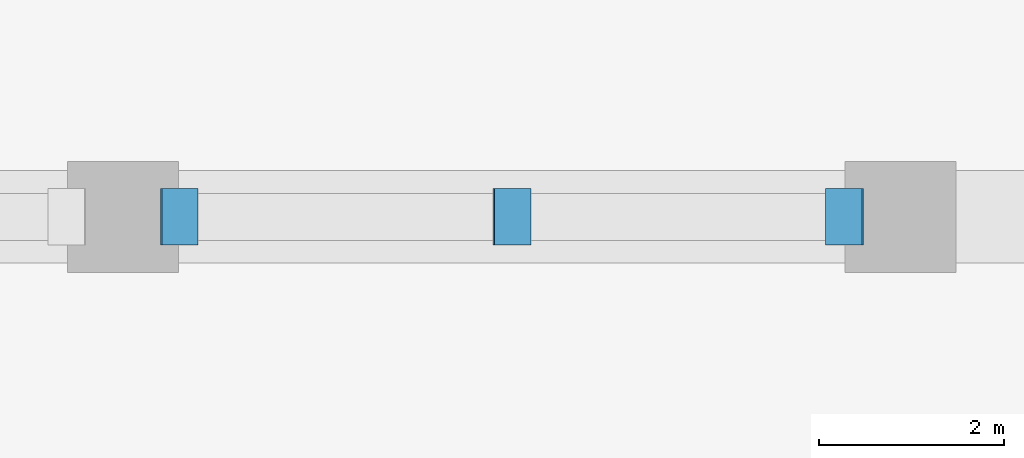
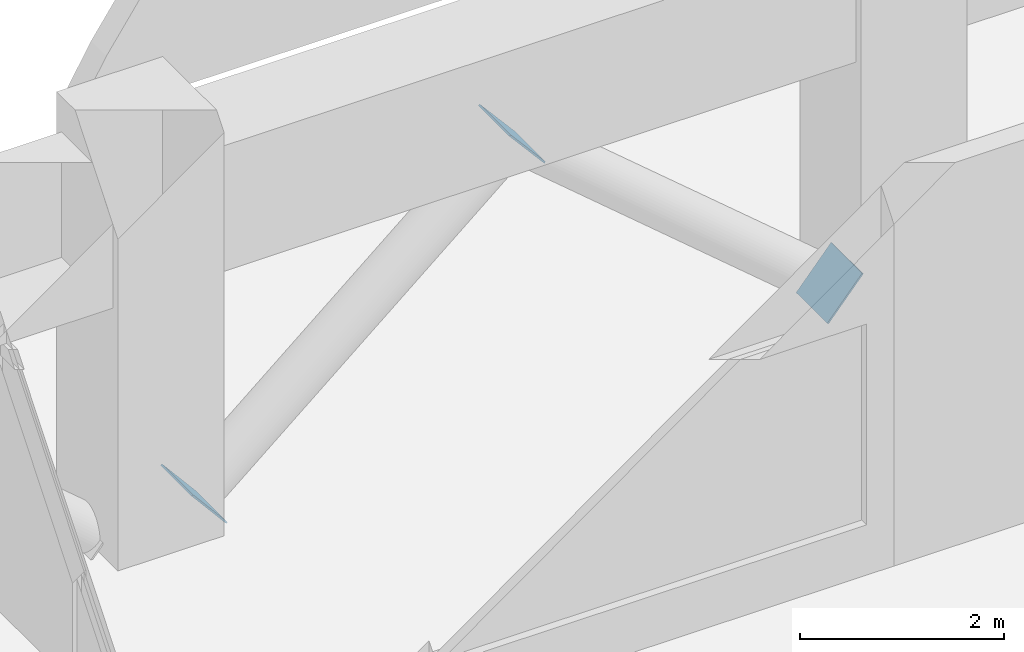
# One storey, part 12 of 19: 3 discrete accessories.
"""IFC4 building model written with IfcOpenShell, lengths in metres."""

from ifc_helpers import new_model, si_unit, direction, frame, origin, origin_2d, place, context, subcontext, project, spatial, rectangle, extrude, material, material_profile, profile_set, type_object, element, save


model = new_model("IFC4")

# Units and contexts
model_context = context("Model", 3, precision=1e-05, world=origin(), true_north=direction((0.0, 1.0)))
body_context = subcontext(model_context, "Body", "Model", "MODEL_VIEW")
ifc_project = project(units=[si_unit("LENGTHUNIT", "METRE"), si_unit("AREAUNIT", "SQUARE_METRE"), si_unit("VOLUMEUNIT", "CUBIC_METRE"), si_unit("PLANEANGLEUNIT", "RADIAN"), si_unit("MASSUNIT", "GRAM", prefix="KILO")], contexts=[model_context])

# Site, building, storey
site_placement = place(None, origin())
site = spatial("IfcSite", under=ifc_project, at=site_placement, CompositionType="ELEMENT")
building_placement = place(site_placement, origin())
building = spatial("IfcBuilding", under=site, at=building_placement, Name="Kawkab Arch Medical Tower", CompositionType="ELEMENT")
storey_placement = place(building_placement, frame((0.0, 0.0, 34.199951171875)))
storey = spatial("IfcBuildingStorey", under=building, at=storey_placement, Name="L07", CompositionType="ELEMENT", Elevation=34.199951171875)

# Discrete accessories
ifc_material = material(Name="Steel S355", Category="steel")
ifc_material_profile = material_profile(ifc_material, rectangle(XDim=0.60791015625, YDim=0.60791015625, at=origin_2d()), Name="End plate 608 x 20")
ifc_profile_set = profile_set([ifc_material_profile], Name="Steel S355")
discrete_accessory_type = type_object("IfcDiscreteAccessoryType", Name="End plate 608 x 20", PredefinedType="ANCHORPLATE", material=ifc_profile_set)
discrete_accessory_placement = place(storey_placement, frame((54.59228515625, 0.0, 3.175048828125), z_axis=(0.759256602365, 0.0, 0.650791373456), x_axis=(0.0, 1.0, 0.0)))
element("IfcDiscreteAccessory", 1, at=discrete_accessory_placement, inside=storey, type_object=discrete_accessory_type, Name="End plate BT1", PredefinedType="ANCHORPLATE", context=body_context, shape_type="SweptSolid", body=[
    extrude(rectangle(XDim=0.60791015625, YDim=0.60791015625, at=origin_2d()), origin(), (0.0, 0.0, 1.0), 0.020263671875),
])
for number, where, z_axis, x_axis, name in (
    (2, (51.015380859375, 0.0, 0.143310546875), (-0.765226087432, 0.0, -0.643761629109), (0.0, -1.0, 0.0), "End plate BT1"),
    (3, (58.184814453125, 0.0, 0.143310546875), (0.760121344352, 0.0, -0.649781149204), (0.0, 1.0, 0.0), "End plate BT1"),
):
    element("IfcDiscreteAccessory", number, at=place(storey_placement, frame(where, z_axis=z_axis, x_axis=x_axis)), inside=storey, type_object=discrete_accessory_type, Name=name, PredefinedType="ANCHORPLATE", context=body_context, shape_type="SweptSolid", body=[
        extrude(rectangle(XDim=0.60791015625, YDim=0.60791015625, at=origin_2d()), origin(), (0.0, 0.0, 1.0), 0.02001953125),
    ])

save(model, "model.ifc")
